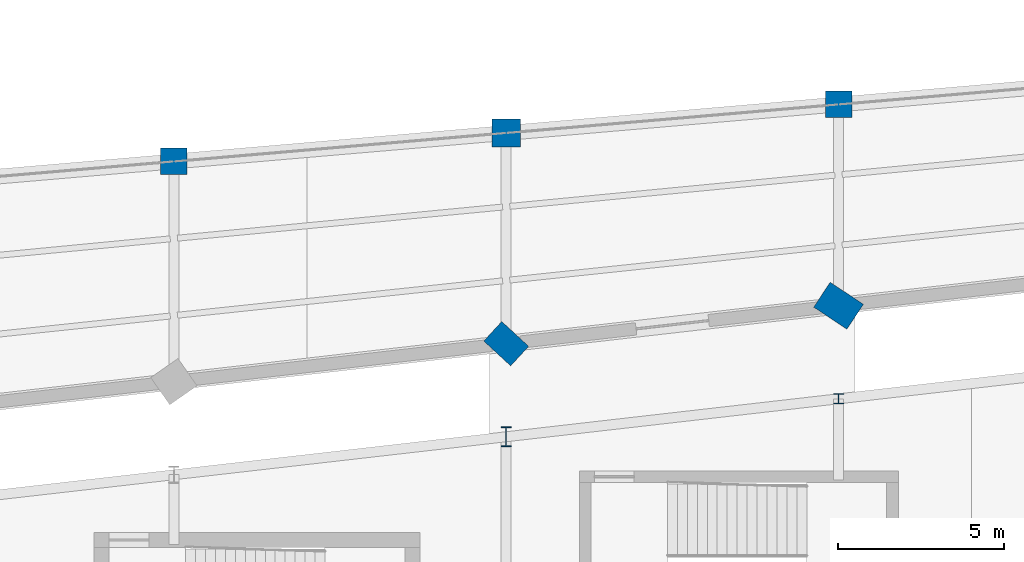
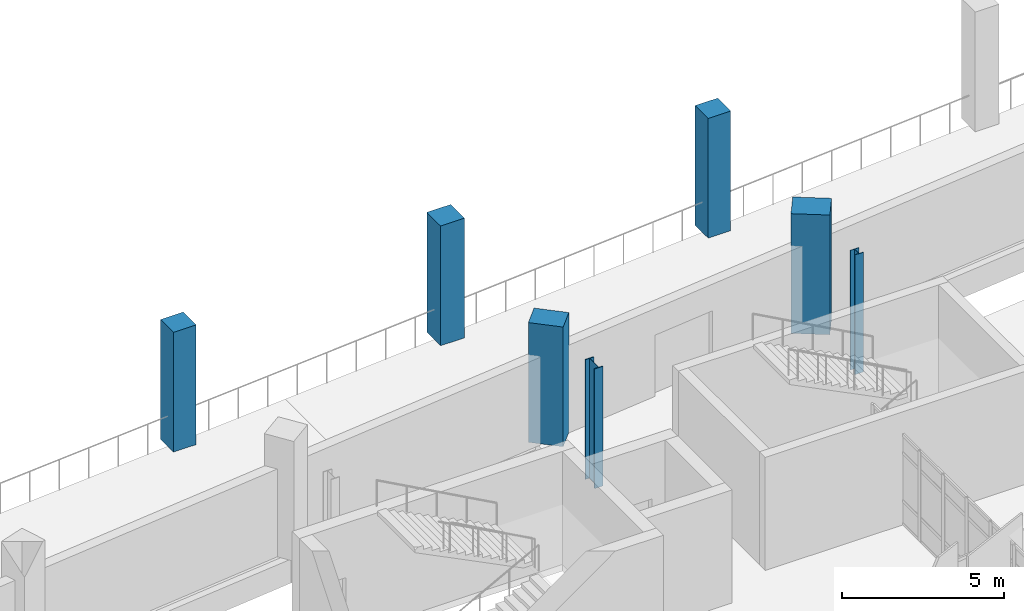
# One storey, part 9 of 125: 7 columns.
"""IFC4 building model written with IfcOpenShell, lengths in metres."""

from ifc_helpers import new_model, si_unit, direction, frame, origin, origin_2d, place, context, subcontext, project, spatial, rectangle, i_section, extrude, material, material_profile, profile_set, type_object, element, save


model = new_model("IFC4")

# Units and contexts
model_context = context("Model", 3, precision=1e-05, world=origin(), true_north=direction((0.0, 1.0)))
body_context = subcontext(model_context, "Body", "Model", "MODEL_VIEW")
ifc_project = project(units=[si_unit("LENGTHUNIT", "METRE"), si_unit("AREAUNIT", "SQUARE_METRE"), si_unit("VOLUMEUNIT", "CUBIC_METRE"), si_unit("PLANEANGLEUNIT", "RADIAN"), si_unit("MASSUNIT", "GRAM", prefix="KILO")], contexts=[model_context])

# Site, building, storey
site_placement = place(None, origin())
site = spatial("IfcSite", under=ifc_project, at=site_placement, CompositionType="ELEMENT")
building_placement = place(site_placement, origin())
building = spatial("IfcBuilding", under=site, at=building_placement, Name="Sohan Crest Arena", CompositionType="ELEMENT")
storey_placement = place(building_placement, frame((0.0, 0.0, 9.0)))
storey = spatial("IfcBuildingStorey", under=building, at=storey_placement, Name="L02", CompositionType="ELEMENT", Elevation=9.0)

# Columns
ifc_material_1 = material(Name="Concrete C40/50", Category="concrete")
ifc_material_profile_1 = material_profile(ifc_material_1, rectangle(XDim=0.800048828125, YDim=0.800048828125, at=origin_2d()), Name="RC 800x800")
ifc_profile_set_1 = profile_set([ifc_material_profile_1], Name="Concrete C40/50")
column_type_1 = type_object("IfcColumnType", Name="STR-COL-C05", PredefinedType="COLUMN", material=ifc_profile_set_1)
for number, where, z_axis, x_axis, name in (
    (1, (118.0, 55.9140625, 0.0), (0.0, 0.0, 1.0), (1.0, 0.0, 0.0), "Structural column COL-V1M-15-L02"),
    (2, (138.0, 57.62890625, 0.0), (0.0, 0.0, 1.0), (1.0, 0.0, 0.0), "Structural column COL-V1M-17-L02"),
):
    element("IfcColumn", number, at=place(storey_placement, frame(where, z_axis=z_axis, x_axis=x_axis)), inside=storey, type_object=column_type_1, Name=name, PredefinedType="COLUMN", context=body_context, shape_type="SweptSolid", body=[
        extrude(rectangle(XDim=0.800048828125, YDim=0.800048828125, at=origin_2d()), origin(), (0.0, 0.0, 1.0), 4.5),
    ])
ifc_material_profile_2 = material_profile(ifc_material_1, rectangle(XDim=0.85009765625, YDim=0.85009765625, at=origin_2d()), Name="RC 850x850")
ifc_profile_set_2 = profile_set([ifc_material_profile_2], Name="Concrete C40/50")
column_type_2 = type_object("IfcColumnType", Name="STR-COL-C06", PredefinedType="COLUMN", material=ifc_profile_set_2)
column_1_placement = place(storey_placement, frame((128.0, 56.77099609375, 0.0), z_axis=(0.0, 0.0, 1.0), x_axis=(1.0, 0.0, 0.0)))
element("IfcColumn", 3, at=column_1_placement, inside=storey, type_object=column_type_2, Name="Structural column COL-V1M-16-L02", PredefinedType="COLUMN", context=body_context, shape_type="SweptSolid", body=[
    extrude(rectangle(XDim=0.85009765625, YDim=0.85009765625, at=origin_2d()), origin(), (0.0, 0.0, 1.0), 4.5),
])
ifc_material_profile_3 = material_profile(ifc_material_1, rectangle(XDim=1.10009765625, YDim=0.800048828125, at=origin_2d()), Name="RC 1100x800")
ifc_profile_set_3 = profile_set([ifc_material_profile_3], Name="Concrete C40/50")
column_type_3 = type_object("IfcColumnType", Name="STR-COL-C10", PredefinedType="COLUMN", material=ifc_profile_set_3)
column_2_placement = place(storey_placement, frame((128.0, 50.428955078125, 0.0), z_axis=(0.0, 0.0, 1.0), x_axis=(-0.73609708712, 0.676875969683, 0.0)))
element("IfcColumn", 4, at=column_2_placement, inside=storey, type_object=column_type_3, Name="Structural column COL-V1R-16-L02", PredefinedType="COLUMN", context=body_context, shape_type="SweptSolid", body=[
    extrude(rectangle(XDim=1.10009765625, YDim=0.800048828125, at=origin_2d()), origin(), (0.0, 0.0, 1.0), 4.5),
])
ifc_material_profile_4 = material_profile(ifc_material_1, rectangle(XDim=1.199951171875, YDim=0.89990234375, at=origin_2d()), Name="RC 1200x900")
ifc_profile_set_4 = profile_set([ifc_material_profile_4], Name="Concrete C40/50")
column_type_4 = type_object("IfcColumnType", Name="STR-COL-C11", PredefinedType="COLUMN", material=ifc_profile_set_4)
column_3_placement = place(storey_placement, frame((138.0, 51.571044921875, 0.0), z_axis=(0.0, 0.0, 1.0), x_axis=(-0.833885822067, 0.551936985312, 0.0)))
element("IfcColumn", 5, at=column_3_placement, inside=storey, type_object=column_type_4, Name="Structural column COL-V1R-17-L02", PredefinedType="COLUMN", context=body_context, shape_type="SweptSolid", body=[
    extrude(rectangle(XDim=1.199951171875, YDim=0.89990234375, at=origin_2d()), origin(), (0.0, 0.0, 1.0), 4.5),
])
ifc_material_2 = material(Name="Steel S355", Category="steel")
ifc_material_profile_5 = material_profile(ifc_material_2, i_section(OverallWidth=0.300048828125, OverallDepth=0.300048828125, WebThickness=0.010986328125, FlangeThickness=0.01904296875, at=origin_2d()), Name="HEB 300")
ifc_profile_set_5 = profile_set([ifc_material_profile_5], Name="Steel S355")
column_type_5 = type_object("IfcColumnType", Name="STR-COL-C17", PredefinedType="COLUMN", material=ifc_profile_set_5)
column_4_placement = place(storey_placement, frame((138.0, 48.77099609375, 0.0), z_axis=(0.0, 0.0, 1.0), x_axis=(1.0, 0.0, 0.0)))
element("IfcColumn", 6, at=column_4_placement, inside=storey, type_object=column_type_5, Name="Structural column COL-V2I-17-L02", PredefinedType="COLUMN", context=body_context, shape_type="SweptSolid", body=[
    extrude(i_section(OverallWidth=0.300048828125, OverallDepth=0.300048828125, WebThickness=0.010986328125, FlangeThickness=0.01904296875, at=origin_2d()), origin(), (0.0, 0.0, 1.0), 4.5),
])
ifc_material_profile_6 = material_profile(ifc_material_2, i_section(OverallWidth=0.300048828125, OverallDepth=0.60009765625, WebThickness=0.015380859375, FlangeThickness=0.030029296875, at=origin_2d()), Name="HEB 600")
ifc_profile_set_6 = profile_set([ifc_material_profile_6], Name="Steel S355")
column_type_6 = type_object("IfcColumnType", Name="STR-COL-C20", PredefinedType="COLUMN", material=ifc_profile_set_6)
column_5_placement = place(storey_placement, frame((128.0, 47.62890625, 0.0), z_axis=(0.0, 0.0, 1.0), x_axis=(1.0, 0.0, 0.0)))
element("IfcColumn", 7, at=column_5_placement, inside=storey, type_object=column_type_6, Name="Structural column COL-V2I-16-L02", PredefinedType="COLUMN", context=body_context, shape_type="SweptSolid", body=[
    extrude(i_section(OverallWidth=0.300048828125, OverallDepth=0.60009765625, WebThickness=0.015380859375, FlangeThickness=0.030029296875, at=origin_2d()), origin(), (0.0, 0.0, 1.0), 4.5),
])

save(model, "model.ifc")
